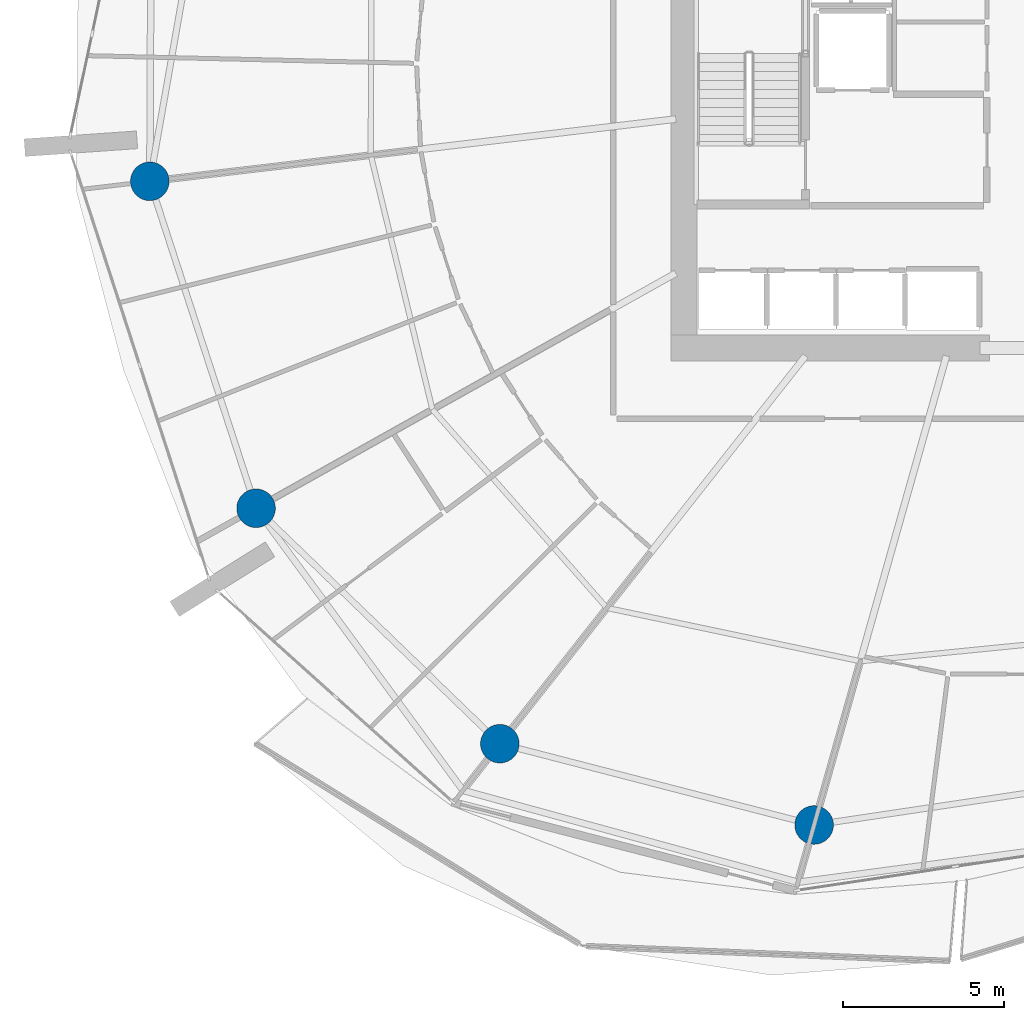
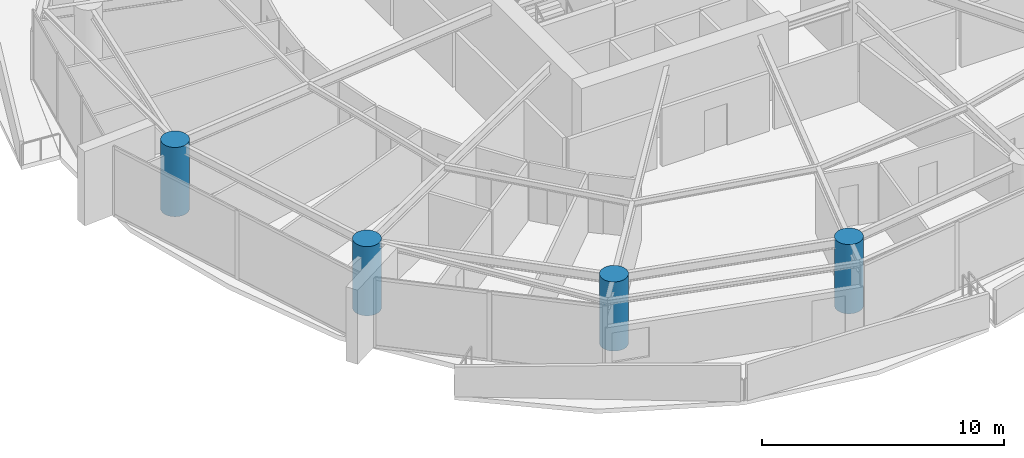
# One storey, part 1 of 23: 4 columns.
"""IFC4 building model written with IfcOpenShell, lengths in metres."""

import ifcopenshell
import ifcopenshell.guid

model = None  # the IFC model being written
_history = None  # IfcOwnerHistory: only IFC2X3 demands one
_inside = {}  # id of a spatial element -> (the spatial element, [elements in it])
_under = {}  # id of a project, library or spatial element -> (it, [spatial elements below it])
_declared = {}  # id of a project -> (the project, [libraries it declares])
_typed = {}  # id of a type object -> (the type object, [elements of that type])
_made_of = {}  # id of a material, layer set ... -> (it, [elements and type objects made of it])


def new_model(schema):
    """Start an empty IFC model of exactly this schema.

    Asked for "IFC4X3", IfcOpenShell would pick the latest addendum, in which some entities
    have other attributes; the version numbers below select the first issue.
    IFC2X3 requires an IfcOwnerHistory on every rooted entity: one is made here for all.
    """
    global model, _history
    if schema == "IFC4X3":
        model = ifcopenshell.file(schema_version=(4, 3, 0, 0))
    else:
        model = ifcopenshell.file(schema=schema)
    _inside.clear()
    _under.clear()
    _declared.clear()
    _typed.clear()
    _made_of.clear()
    _history = None
    if model.schema == "IFC2X3":
        org = make("IfcOrganization", Name="unknown")
        user = make(
            "IfcPersonAndOrganization",
            ThePerson=make("IfcPerson", FamilyName="unknown"),
            TheOrganization=org,
        )
        app = make(
            "IfcApplication",
            ApplicationDeveloper=org,
            Version="unknown",
            ApplicationFullName="unknown",
            ApplicationIdentifier="unknown",
        )
        _history = make(
            "IfcOwnerHistory",
            OwningUser=user,
            OwningApplication=app,
            ChangeAction="ADDED",
            CreationDate=0,
        )
    return model


def make(cls, **values):
    """One entity of the class cls with the attributes given. An attribute that is None is left unset."""
    return model.create_entity(
        cls, **{name: value for name, value in values.items() if value is not None}
    )


def rooted(cls, **values):
    """An entity with a GlobalId (a new one), such as an element, a storey or a relation."""
    return make(cls, GlobalId=ifcopenshell.guid.new(), OwnerHistory=_history, **values)


def si_unit(unit_type, name, prefix=None):
    """IfcSIUnit, for example si_unit("LENGTHUNIT", "METRE", prefix="MILLI")."""
    return make("IfcSIUnit", UnitType=unit_type, Prefix=prefix, Name=name)


def assignment(units):
    """IfcUnitAssignment: the units of a project."""
    return None if units is None else make("IfcUnitAssignment", Units=units)


def point(xyz):
    """IfcCartesianPoint."""
    return None if xyz is None else make("IfcCartesianPoint", Coordinates=xyz)


def direction(xyz):
    """IfcDirection."""
    return None if xyz is None else make("IfcDirection", DirectionRatios=xyz)


def frame(location, z_axis=None, x_axis=None):
    """IfcAxis2Placement3D, a coordinate frame: its origin and axes. An axis left out is left unset."""
    return make(
        "IfcAxis2Placement3D",
        Location=point(location),
        Axis=direction(z_axis),
        RefDirection=direction(x_axis),
    )


def frame_2d(location, x_axis=None):
    """IfcAxis2Placement2D, a coordinate frame in the plane: its origin and x axis."""
    return make(
        "IfcAxis2Placement2D", Location=point(location), RefDirection=direction(x_axis)
    )


def origin():
    """The frame at (0, 0, 0) with its axes left unset."""
    return frame((0.0, 0.0, 0.0))


def origin_2d():
    """The frame at (0, 0) in the plane with its x axis left unset."""
    return frame_2d((0.0, 0.0))


def place(relative_to, where):
    """IfcLocalPlacement: puts the frame where relative to a parent placement (None: the world)."""
    return make(
        "IfcLocalPlacement", PlacementRelTo=relative_to, RelativePlacement=where
    )


def context(
    kind, dimensions, precision=None, world=None, true_north=None, identifier=None
):
    """IfcGeometricRepresentationContext, for example the 3D "Model" context."""
    return make(
        "IfcGeometricRepresentationContext",
        ContextIdentifier=identifier,
        ContextType=kind,
        CoordinateSpaceDimension=dimensions,
        Precision=precision,
        WorldCoordinateSystem=world,
        TrueNorth=true_north,
    )


def subcontext(parent, identifier, kind, view, scale=None):
    """IfcGeometricRepresentationSubContext, for example "Body" below "Model"."""
    return make(
        "IfcGeometricRepresentationSubContext",
        ContextIdentifier=identifier,
        ContextType=kind,
        ParentContext=parent,
        TargetScale=scale,
        TargetView=view,
    )


def project(units=None, contexts=None):
    """IfcProject with its units and contexts."""
    return rooted(
        "IfcProject",
        Name="project",
        RepresentationContexts=contexts,
        UnitsInContext=assignment(units),
    )


def spatial(cls, under=None, at=None, **own):
    """A site, building, storey or space (cls), placed at a placement, below another one or the project."""
    s = rooted(cls, ObjectPlacement=at, **own)
    if under is not None:
        _under.setdefault(under.id(), (under, []))[1].append(s)
    return s


def profile(cls, at=None, kind="AREA", **sizes):
    """A parametric profile (cls). Its sizes go by their IFC names, for example OverallWidth=200.0."""
    return make(cls, ProfileType=kind, Position=at, **sizes)


def circle(**sizes):
    """IfcCircleProfileDef."""
    return profile("IfcCircleProfileDef", **sizes)


def extrude(swept, where, along, depth):
    """IfcExtrudedAreaSolid: the profile swept, set in the frame where, extruded along a direction by depth."""
    return make(
        "IfcExtrudedAreaSolid",
        SweptArea=swept,
        Position=where,
        ExtrudedDirection=direction(along),
        Depth=depth,
    )


def shape(context_of_items, identifier, shape_type, items):
    """IfcShapeRepresentation: the items that make up one representation, for example the "Body"."""
    return make(
        "IfcShapeRepresentation",
        ContextOfItems=context_of_items,
        RepresentationIdentifier=identifier,
        RepresentationType=shape_type,
        Items=items,
    )


def material(Name=None, Category=None):
    """IfcMaterial."""
    return make("IfcMaterial", Name=Name, Category=Category)


def material_profile(
    of_material, cross_section, Name=None, Category=None, Priority=None
):
    """IfcMaterialProfile: a cross section and its material."""
    return make(
        "IfcMaterialProfile",
        Name=Name,
        Material=of_material,
        Profile=cross_section,
        Priority=Priority,
        Category=Category,
    )


def profile_set(profiles, Name=None, composite=None):
    """IfcMaterialProfileSet."""
    return make(
        "IfcMaterialProfileSet",
        Name=Name,
        MaterialProfiles=profiles,
        CompositeProfile=composite,
    )


def made_of(thing, what):
    """Note that an element or type object is made of a material, layer set ...; save() writes the relation."""
    if what is not None:
        _made_of.setdefault(what.id(), (what, []))[1].append(thing)
    return thing


def type_object(cls, material=None, **own):
    """A type object (cls), such as IfcWallType, which elements share."""
    return made_of(rooted(cls, **own), material)


def element(
    cls,
    number,
    at=None,
    inside=None,
    cuts=None,
    type_object=None,
    material=None,
    context=None,
    identifier="Body",
    shape_type=None,
    held_by="IfcProductDefinitionShape",
    body=None,
    shapes=None,
    **own,
):
    """One element of the class cls, such as IfcWall. Its Tag is "e" and its number.

    at: its placement. inside: the storey or other place that contains it. cuts: it is an
    opening in that element (IfcRelVoidsElement). A single representation is given by context,
    identifier, shape_type and body (its items); several are given by shapes. held_by: the class
    of the entity that holds the representations. save() writes the other relations.
    """
    e = rooted(cls, Tag="e%d" % number, ObjectPlacement=at, **own)
    if body is not None:
        shapes = [shape(context, identifier, shape_type, body)]
    if shapes is not None:
        e.Representation = make(held_by, Representations=shapes)
    if inside is not None:
        _inside.setdefault(inside.id(), (inside, []))[1].append(e)
    if cuts is not None:
        rooted(
            "IfcRelVoidsElement", RelatingBuildingElement=cuts, RelatedOpeningElement=e
        )
    if type_object is not None:
        _typed.setdefault(type_object.id(), (type_object, []))[1].append(e)
    return made_of(e, material)


def aggregate(whole, parts):
    """IfcRelAggregates: a whole, such as a stair, and the parts it consists of."""
    return rooted("IfcRelAggregates", RelatingObject=whole, RelatedObjects=parts)


def save(model, path):
    """Write the relations noted so far, then the file.

    IfcRelAggregates (storeys below a building ...), IfcRelContainedInSpatialStructure (elements
    in a storey), IfcRelDefinesByType, IfcRelAssociatesMaterial and IfcRelDeclares: one each for
    every whole, place, type object, material and project.
    """
    for whole, parts in _under.values():
        aggregate(whole, parts)
    for where, things in _inside.values():
        rooted(
            "IfcRelContainedInSpatialStructure",
            RelatedElements=things,
            RelatingStructure=where,
        )
    for kind, things in _typed.values():
        rooted("IfcRelDefinesByType", RelatedObjects=things, RelatingType=kind)
    for what, things in _made_of.values():
        rooted("IfcRelAssociatesMaterial", RelatedObjects=things, RelatingMaterial=what)
    for by, libraries in _declared.values():
        rooted("IfcRelDeclares", RelatingContext=by, RelatedDefinitions=libraries)
    model.write(path)


model = new_model("IFC4")

# Units and contexts
model_context = context("Model", 3, precision=1e-05, world=origin(), true_north=direction((0.0, 1.0)))
body_context = subcontext(model_context, "Body", "Model", "MODEL_VIEW")
ifc_project = project(units=[si_unit("LENGTHUNIT", "METRE"), si_unit("AREAUNIT", "SQUARE_METRE"), si_unit("VOLUMEUNIT", "CUBIC_METRE"), si_unit("PLANEANGLEUNIT", "RADIAN"), si_unit("MASSUNIT", "GRAM", prefix="KILO")], contexts=[model_context])

# Site, building, storey
site_placement = place(None, origin())
site = spatial("IfcSite", under=ifc_project, at=site_placement, CompositionType="ELEMENT")
building_placement = place(site_placement, origin())
building = spatial("IfcBuilding", under=site, at=building_placement, Name="Kazma Halo Residences", CompositionType="ELEMENT")
storey_placement = place(building_placement, frame((0.0, 0.0, 82.64990234375)))
storey = spatial("IfcBuildingStorey", under=building, at=storey_placement, Name="L20", CompositionType="ELEMENT", Elevation=82.64990234375)

# Columns
ifc_material = material(Name="Concrete C80/95", Category="concrete")
ifc_material_profile = material_profile(ifc_material, circle(Radius=0.60009765625, at=origin_2d()), Name="CIRC1200")
ifc_profile_set = profile_set([ifc_material_profile], Name="Concrete C80/95")
column_type = type_object("IfcColumnType", Name="COL-PERIM-1200", PredefinedType="COLUMN", material=ifc_profile_set)
for number, where, z_axis, x_axis, name in (
    (1, (20.79345703125, 38.77978515625, 0.0), (0.0, 0.0, 1.0), (1.0, 0.0, 0.0), "L20 perimeter ring column P08"),
    (2, (24.0966796875, 28.613525390625, 0.0), (0.0, 0.0, 1.0), (1.0, 0.0, 0.0), "L20 perimeter ring column P09"),
    (3, (31.676513671875, 21.293701171875, 0.0), (0.0, 0.0, 1.0), (1.0, 0.0, 0.0), "L20 perimeter ring column P10"),
    (4, (41.447265625, 18.765869140625, 0.0), (0.0, 0.0, 1.0), (1.0, 0.0, 0.0), "L20 perimeter ring column P11"),
):
    element("IfcColumn", number, at=place(storey_placement, frame(where, z_axis=z_axis, x_axis=x_axis)), inside=storey, type_object=column_type, Name=name, PredefinedType="COLUMN", context=body_context, shape_type="SweptSolid", body=[
        extrude(circle(Radius=0.60009765625, at=origin_2d()), origin(), (0.0, 0.0, 1.0), 3.5),
    ])

save(model, "model.ifc")
